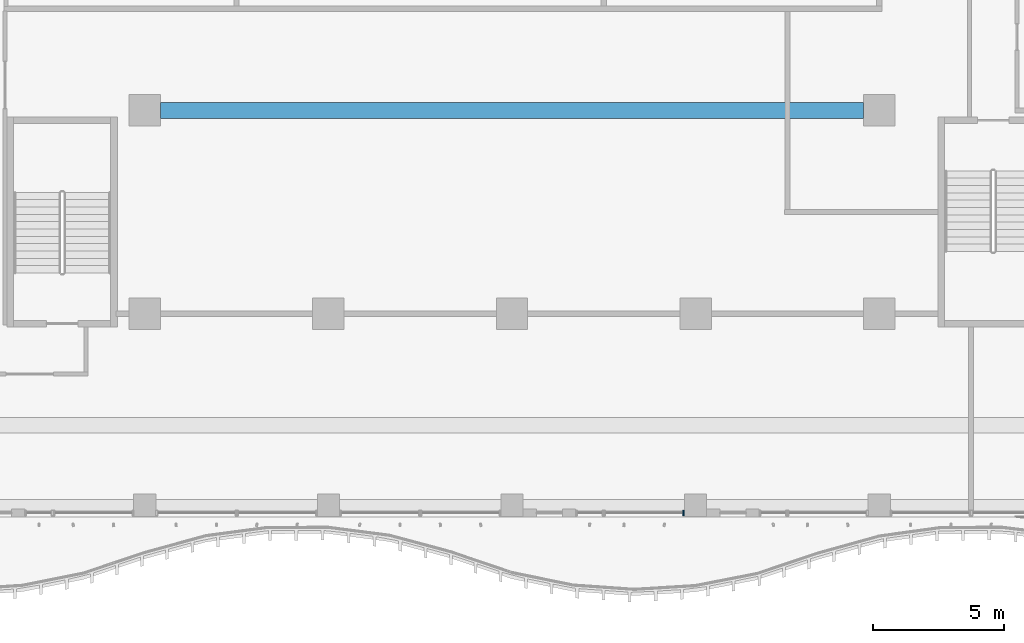
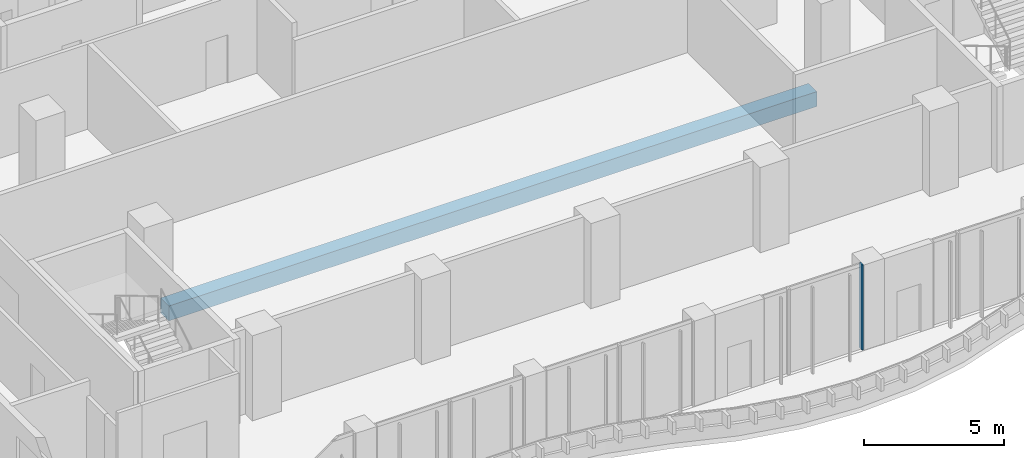
# One storey, part 4 of 27: 1 beam, 1 member, 1 element without a shape of its own.
"""IFC4 building model written with IfcOpenShell, lengths in metres."""

from ifc_helpers import new_model, si_unit, direction, frame, origin, origin_2d, place, context, subcontext, project, spatial, rectangle, extrude, source, transform, mapped, material, material_profile, profile_set, type_object, element, aggregate, save


model = new_model("IFC4")

# Units and contexts
model_context = context("Model", 3, precision=1e-05, world=origin(), true_north=direction((0.0, 1.0)))
body_context = subcontext(model_context, "Body", "Model", "MODEL_VIEW")
ifc_project = project(units=[si_unit("LENGTHUNIT", "METRE"), si_unit("AREAUNIT", "SQUARE_METRE"), si_unit("VOLUMEUNIT", "CUBIC_METRE"), si_unit("PLANEANGLEUNIT", "RADIAN"), si_unit("MASSUNIT", "GRAM", prefix="KILO")], contexts=[model_context])

# Site, building, storey
site_placement = place(None, origin())
site = spatial("IfcSite", under=ifc_project, at=site_placement, CompositionType="ELEMENT")
building_placement = place(site_placement, origin())
building = spatial("IfcBuilding", under=site, at=building_placement, Name="Kilnfold Tower and Market Hall", CompositionType="ELEMENT")
storey_placement = place(building_placement, frame((0.0, 0.0, 112.60009765625)))
storey = spatial("IfcBuildingStorey", under=building, at=storey_placement, Name="L26", CompositionType="ELEMENT", Elevation=112.60009765625)

# Beam
ifc_material_1 = material(Name="Concrete C45", Category="concrete")
ifc_material_profile_1 = material_profile(ifc_material_1, rectangle(XDim=0.60009765625, YDim=0.64990234375, at=origin_2d()), Name="RC 600x650")
ifc_profile_set_1 = profile_set([ifc_material_profile_1], Name="Concrete C45")
beam_type = type_object("IfcBeamType", Name="BEAM 600X650 C45", PredefinedType="BEAM", material=ifc_profile_set_1)
shared_shape_1 = source(origin(), body_context, "Body", "SweptSolid", [
    extrude(rectangle(XDim=0.60009765625, YDim=0.64990234375, at=origin_2d()), origin(), (0.0, 0.0, 1.0), 26.7998046875),
])
beam_placement = place(storey_placement, frame((-11.89990234375, -7.5, -0.60498046875), z_axis=(1.0, 0.0, 0.0), x_axis=(0.0, 1.0, 0.0)))
element("IfcBeam", 1, at=beam_placement, inside=storey, type_object=beam_type, Name="Beam BB650-B3.60", PredefinedType="BEAM", context=body_context, shape_type="MappedRepresentation", body=[
    mapped(shared_shape_1, transform((0.0, 0.0, 0.0))),
])

# Curtain wall, member
ifc_material_2 = material(Name="Aluminium and double glazing", Category="aluminium")
curtain_wall_type = type_object("IfcCurtainWallType", Name="CW OF2 VALLEY GLAZING", PredefinedType="NOTDEFINED", material=ifc_material_2)
curtain_wall_placement = place(storey_placement, origin())
curtain_wall = element("IfcCurtainWall", 2, at=curtain_wall_placement, inside=storey, type_object=curtain_wall_type, Name="Curtain wall CW2 L26 S", PredefinedType="NOTDEFINED")
ifc_material_3 = material(Name="Aluminium", Category="aluminium")
ifc_material_profile_2 = material_profile(ifc_material_3, rectangle(XDim=0.06005859375, YDim=0.199951171875, at=origin_2d()), Name="MULLION 60x200")
ifc_profile_set_2 = profile_set([ifc_material_profile_2], Name="Aluminium")
member_type = type_object("IfcMemberType", Name="MULLION 60X200", PredefinedType="MULLION", material=ifc_profile_set_2)
shared_shape_2 = source(origin(), body_context, "Body", "SweptSolid", [
    extrude(rectangle(XDim=0.06005859375, YDim=0.199951171875, at=origin_2d()), origin(), (0.0, 0.0, 1.0), 3.719970703125),
])
member_placement = place(storey_placement, frame((8.044921875, -22.85009765625, 0.0), z_axis=(0.0, 0.0, 1.0), x_axis=(1.0, 0.0, 0.0)))
member = element("IfcMember", 3, at=member_placement, type_object=member_type, Name="CW2 mullion 2", PredefinedType="MULLION", context=body_context, shape_type="MappedRepresentation", body=[
    mapped(shared_shape_2, transform((0.0, 0.0, 0.0))),
])
aggregate(curtain_wall, [member])

save(model, "model.ifc")
